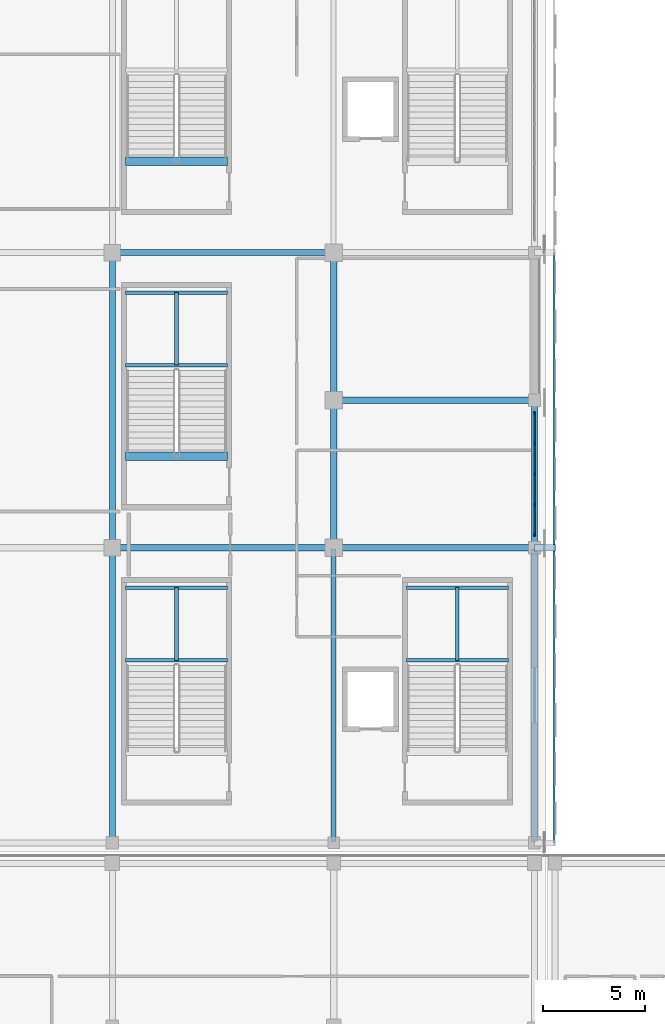
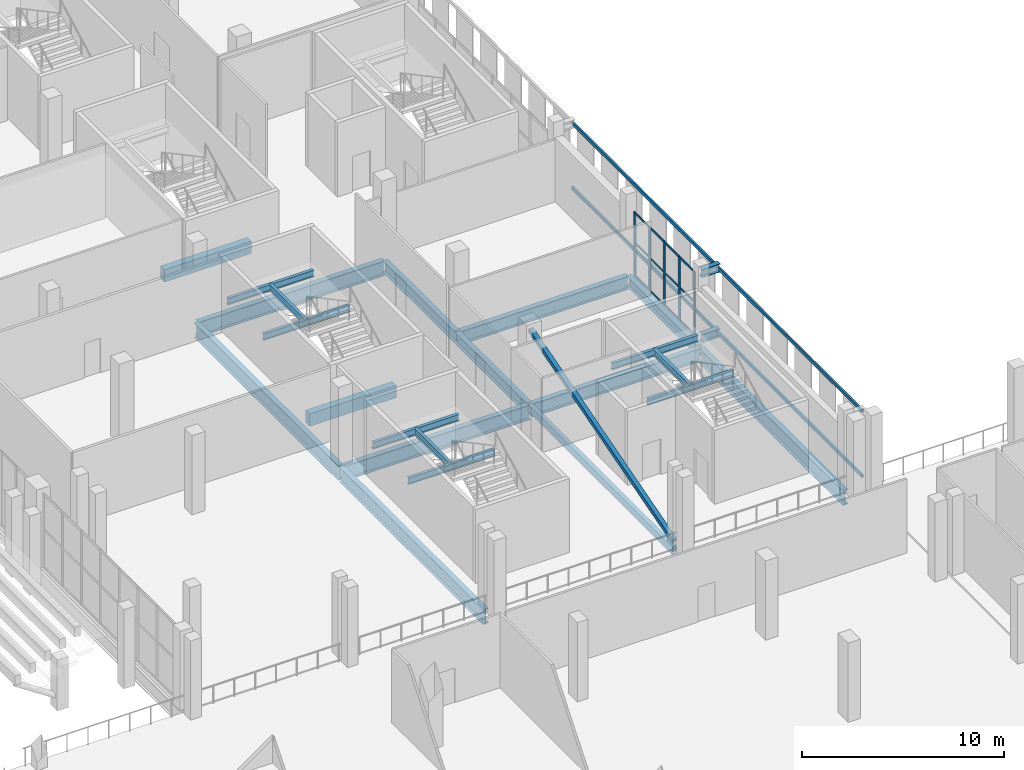
# One storey, part 50 of 142: 24 beams, 22 members, 1 element without a shape of its own.
"""IFC4 building model written with IfcOpenShell, lengths in metres."""

from ifc_helpers import new_model, si_unit, direction, frame, origin, origin_2d, place, context, subcontext, project, spatial, rectangle, hollow_rectangle, i_section, extrude, material, material_profile, profile_set, type_object, element, aggregate, save


model = new_model("IFC4")

# Units and contexts
model_context = context("Model", 3, precision=1e-05, world=origin(), true_north=direction((0.0, 1.0)))
body_context = subcontext(model_context, "Body", "Model", "MODEL_VIEW")
ifc_project = project(units=[si_unit("LENGTHUNIT", "METRE"), si_unit("AREAUNIT", "SQUARE_METRE"), si_unit("VOLUMEUNIT", "CUBIC_METRE"), si_unit("PLANEANGLEUNIT", "RADIAN"), si_unit("MASSUNIT", "GRAM", prefix="KILO")], contexts=[model_context])

# Site, building, storey
site_placement = place(None, origin())
site = spatial("IfcSite", under=ifc_project, at=site_placement, CompositionType="ELEMENT")
building_placement = place(site_placement, origin())
building = spatial("IfcBuilding", under=site, at=building_placement, Name="Koshinbarg Plaza Stadium", CompositionType="ELEMENT")
storey_placement = place(building_placement, frame((0.0, 0.0, 10.199951171875)))
storey = spatial("IfcBuildingStorey", under=building, at=storey_placement, Name="L02", CompositionType="ELEMENT", Elevation=10.199951171875)

# Beams
ifc_material_1 = material(Name="Steel S355", Category="steel")
ifc_material_profile_1 = material_profile(ifc_material_1, i_section(OverallWidth=0.300048828125, OverallDepth=0.5, WebThickness=0.014404296875, FlangeThickness=0.028076171875, at=origin_2d()), Name="HEB 500")
ifc_profile_set_1 = profile_set([ifc_material_profile_1], Name="Steel S355")
beam_type_1 = type_object("IfcBeamType", Name="BM-CANOPY-CANT", PredefinedType="BEAM", material=ifc_profile_set_1)
for number, where, z_axis, x_axis, name in (
    (1, (218.39990234375, 39.89990234375, 0.25), (1.0, 0.0, 0.0), (0.0, 1.0, 0.0), "Outer screen cantilever outrigger E-L02-Y02"),
    (2, (218.39990234375, 39.89990234375, 4.179931640625), (1.0, 0.0, 0.0), (0.0, 1.0, 0.0), "Outer screen cantilever outrigger E-L02-Y02"),
):
    element("IfcBeam", number, at=place(storey_placement, frame(where, z_axis=z_axis, x_axis=x_axis)), inside=storey, type_object=beam_type_1, Name=name, PredefinedType="BEAM", context=body_context, shape_type="SweptSolid", body=[
        extrude(i_section(OverallWidth=0.300048828125, OverallDepth=0.5, WebThickness=0.014404296875, FlangeThickness=0.028076171875, at=origin_2d()), origin(), (0.0, 0.0, 1.0), 1.030029296875),
    ])
ifc_material_2 = material(Name="Concrete C40/50", Category="concrete")
ifc_material_profile_2 = material_profile(ifc_material_2, rectangle(XDim=0.39990234375, YDim=0.75, at=origin_2d()), Name="RC 400x750")
ifc_profile_set_2 = profile_set([ifc_material_profile_2], Name="Concrete C40/50")
beam_type_2 = type_object("IfcBeamType", Name="BM-RCG-03", PredefinedType="USERDEFINED", material=ifc_profile_set_2)
for number, where, z_axis, x_axis, name in (
    (3, (198.449951171875, 44.360107421875, -0.375), (1.0, 0.0, 0.0), (0.0, 1.0, 0.0), "L02 stair landing header beam VX08"),
    (4, (198.449951171875, 58.760009765625, -0.375), (1.0, 0.0, 0.0), (0.0, 1.0, 0.0), "L02 stair landing header beam VX09"),
):
    element("IfcBeam", number, at=place(storey_placement, frame(where, z_axis=z_axis, x_axis=x_axis)), inside=storey, type_object=beam_type_2, Name=name, ObjectType="GIRDER", PredefinedType="USERDEFINED", context=body_context, shape_type="SweptSolid", body=[
        extrude(rectangle(XDim=0.39990234375, YDim=0.75, at=origin_2d()), origin(), (0.0, 0.0, 1.0), 4.969970703125),
    ])
ifc_material_profile_3 = material_profile(ifc_material_1, i_section(OverallWidth=0.179931640625, OverallDepth=0.39990234375, WebThickness=0.008544921875, FlangeThickness=0.013427734375, at=origin_2d()), Name="IPE 400")
ifc_profile_set_3 = profile_set([ifc_material_profile_3], Name="Steel S355")
beam_type_3 = type_object("IfcBeamType", Name="BM-SBM-01", PredefinedType="BEAM", material=ifc_profile_set_3)
for number, where, z_axis, x_axis, name in (
    (5, (212.14990234375, 34.409912109375, 1.880126953125), (1.0, 0.0, 0.0), (0.0, 1.0, 0.0), "L02 Protected Exit Stair C07 landing trimmer beam 1"),
    (6, (212.14990234375, 37.949951171875, 1.880126953125), (1.0, 0.0, 0.0), (0.0, 1.0, 0.0), "L02 Protected Exit Stair C07 landing trimmer beam 2"),
):
    element("IfcBeam", number, at=place(storey_placement, frame(where, z_axis=z_axis, x_axis=x_axis)), inside=storey, type_object=beam_type_3, Name=name, PredefinedType="BEAM", context=body_context, shape_type="SweptSolid", body=[
        extrude(i_section(OverallWidth=0.179931640625, OverallDepth=0.39990234375, WebThickness=0.008544921875, FlangeThickness=0.013427734375, at=origin_2d()), origin(), (0.0, 0.0, 1.0), 4.97021484375),
    ])
beam_1_placement = place(storey_placement, frame((214.635009765625, 34.409912109375, 1.880126953125), z_axis=(0.0, 1.0, 0.0), x_axis=(-1.0, 0.0, 0.0)))
element("IfcBeam", 7, at=beam_1_placement, inside=storey, type_object=beam_type_3, Name="L02 Protected Exit Stair C07 landing trimmer beam 3", PredefinedType="BEAM", context=body_context, shape_type="SweptSolid", body=[
    extrude(i_section(OverallWidth=0.179931640625, OverallDepth=0.39990234375, WebThickness=0.008544921875, FlangeThickness=0.013427734375, at=origin_2d()), origin(), (0.0, 0.0, 1.0), 3.5400390625),
])
for number, where, z_axis, x_axis, name in (
    (8, (198.449951171875, 34.409912109375, 1.880126953125), (1.0, 0.0, 0.0), (0.0, 1.0, 0.0), "L02 Upper Vomitory Stair VX07 landing trimmer beam 1"),
    (9, (198.449951171875, 37.949951171875, 1.880126953125), (1.0, 0.0, 0.0), (0.0, 1.0, 0.0), "L02 Upper Vomitory Stair VX07 landing trimmer beam 2"),
):
    element("IfcBeam", number, at=place(storey_placement, frame(where, z_axis=z_axis, x_axis=x_axis)), inside=storey, type_object=beam_type_3, Name=name, PredefinedType="BEAM", context=body_context, shape_type="SweptSolid", body=[
        extrude(i_section(OverallWidth=0.179931640625, OverallDepth=0.39990234375, WebThickness=0.008544921875, FlangeThickness=0.013427734375, at=origin_2d()), origin(), (0.0, 0.0, 1.0), 4.969970703125),
    ])
beam_2_placement = place(storey_placement, frame((200.93505859375, 34.409912109375, 1.880126953125), z_axis=(0.0, 1.0, 0.0), x_axis=(-1.0, 0.0, 0.0)))
element("IfcBeam", 10, at=beam_2_placement, inside=storey, type_object=beam_type_3, Name="L02 Upper Vomitory Stair VX07 landing trimmer beam 3", PredefinedType="BEAM", context=body_context, shape_type="SweptSolid", body=[
    extrude(i_section(OverallWidth=0.179931640625, OverallDepth=0.39990234375, WebThickness=0.008544921875, FlangeThickness=0.013427734375, at=origin_2d()), origin(), (0.0, 0.0, 1.0), 3.5400390625),
])
for number, where, z_axis, x_axis, name in (
    (11, (198.449951171875, 48.81005859375, 1.880126953125), (1.0, 0.0, 0.0), (0.0, 1.0, 0.0), "L02 Upper Vomitory Stair VX08 landing trimmer beam 1"),
    (12, (198.449951171875, 52.35009765625, 1.880126953125), (1.0, 0.0, 0.0), (0.0, 1.0, 0.0), "L02 Upper Vomitory Stair VX08 landing trimmer beam 2"),
):
    element("IfcBeam", number, at=place(storey_placement, frame(where, z_axis=z_axis, x_axis=x_axis)), inside=storey, type_object=beam_type_3, Name=name, PredefinedType="BEAM", context=body_context, shape_type="SweptSolid", body=[
        extrude(i_section(OverallWidth=0.179931640625, OverallDepth=0.39990234375, WebThickness=0.008544921875, FlangeThickness=0.013427734375, at=origin_2d()), origin(), (0.0, 0.0, 1.0), 4.969970703125),
    ])
beam_3_placement = place(storey_placement, frame((200.93505859375, 48.81005859375, 1.880126953125), z_axis=(0.0, 1.0, 0.0), x_axis=(-1.0, 0.0, 0.0)))
element("IfcBeam", 13, at=beam_3_placement, inside=storey, type_object=beam_type_3, Name="L02 Upper Vomitory Stair VX08 landing trimmer beam 3", PredefinedType="BEAM", context=body_context, shape_type="SweptSolid", body=[
    extrude(i_section(OverallWidth=0.179931640625, OverallDepth=0.39990234375, WebThickness=0.008544921875, FlangeThickness=0.013427734375, at=origin_2d()), origin(), (0.0, 0.0, 1.0), 3.5400390625),
])
ifc_material_profile_4 = material_profile(ifc_material_1, i_section(OverallWidth=0.300048828125, OverallDepth=0.60009765625, WebThickness=0.015380859375, FlangeThickness=0.030029296875, at=origin_2d()), Name="HEB 600")
ifc_profile_set_4 = profile_set([ifc_material_profile_4], Name="Steel S355")
beam_type_4 = type_object("IfcBeamType", Name="BM-SGIR-02", PredefinedType="USERDEFINED", material=ifc_profile_set_4)
beam_4_placement = place(storey_placement, frame((218.39990234375, 39.9599609375, -0.599853515625), z_axis=(0.0, 1.0, 0.0), x_axis=(-1.0, 0.0, 0.0)))
element("IfcBeam", 14, at=beam_4_placement, inside=storey, type_object=beam_type_4, Name="L02 Y girder 21/F-G", ObjectType="GIRDER", PredefinedType="USERDEFINED", context=body_context, shape_type="SweptSolid", body=[
    extrude(i_section(OverallWidth=0.300048828125, OverallDepth=0.60009765625, WebThickness=0.015380859375, FlangeThickness=0.030029296875, at=origin_2d()), origin(), (0.0, 0.0, 1.0), 7.080078125),
])
ifc_material_profile_5 = material_profile(ifc_material_1, i_section(OverallWidth=0.300048828125, OverallDepth=0.699951171875, WebThickness=0.01708984375, FlangeThickness=0.031982421875, at=origin_2d()), Name="HEB 700")
ifc_profile_set_5 = profile_set([ifc_material_profile_5], Name="Steel S355")
beam_type_5 = type_object("IfcBeamType", Name="BM-SGIR-03", PredefinedType="USERDEFINED", material=ifc_profile_set_5)
for number, where, z_axis, x_axis, name in (
    (15, (208.60009765625, 39.9599609375, -0.64990234375), (0.0, 1.0, 0.0), (-1.0, 0.0, 0.0), "L02 Y girder 20/F-G"),
    (16, (208.60009765625, 47.159912109375, -0.64990234375), (0.0, 1.0, 0.0), (-1.0, 0.0, 0.0), "L02 Y girder 20/G-H"),
):
    element("IfcBeam", number, at=place(storey_placement, frame(where, z_axis=z_axis, x_axis=x_axis)), inside=storey, type_object=beam_type_5, Name=name, ObjectType="GIRDER", PredefinedType="USERDEFINED", context=body_context, shape_type="SweptSolid", body=[
        extrude(i_section(OverallWidth=0.300048828125, OverallDepth=0.699951171875, WebThickness=0.01708984375, FlangeThickness=0.031982421875, at=origin_2d()), origin(), (0.0, 0.0, 1.0), 7.080078125),
    ])
ifc_material_profile_6 = material_profile(ifc_material_1, i_section(OverallWidth=0.300048828125, OverallDepth=0.800048828125, WebThickness=0.017578125, FlangeThickness=0.032958984375, at=origin_2d()), Name="HEB 800")
ifc_profile_set_6 = profile_set([ifc_material_profile_6], Name="Steel S355")
beam_type_6 = type_object("IfcBeamType", Name="BM-SGIR-04", PredefinedType="USERDEFINED", material=ifc_profile_set_6)
for number, where, z_axis, x_axis, name in (
    (17, (208.659912109375, 39.89990234375, -0.699951171875), (1.0, 0.0, 0.0), (0.0, 1.0, 0.0), "L02 X girder F/20-21"),
    (18, (208.659912109375, 47.10009765625, -0.699951171875), (1.0, 0.0, 0.0), (0.0, 1.0, 0.0), "L02 X girder G/20-21"),
):
    element("IfcBeam", number, at=place(storey_placement, frame(where, z_axis=z_axis, x_axis=x_axis)), inside=storey, type_object=beam_type_6, Name=name, ObjectType="GIRDER", PredefinedType="USERDEFINED", context=body_context, shape_type="SweptSolid", body=[
        extrude(i_section(OverallWidth=0.300048828125, OverallDepth=0.800048828125, WebThickness=0.017578125, FlangeThickness=0.032958984375, at=origin_2d()), origin(), (0.0, 0.0, 1.0), 9.68017578125),
    ])
ifc_material_profile_7 = material_profile(ifc_material_1, i_section(OverallWidth=0.300048828125, OverallDepth=0.89990234375, WebThickness=0.0185546875, FlangeThickness=0.034912109375, at=origin_2d()), Name="HEB 900")
ifc_profile_set_7 = profile_set([ifc_material_profile_7], Name="Steel S355")
beam_type_7 = type_object("IfcBeamType", Name="BM-SGIR-05", PredefinedType="USERDEFINED", material=ifc_profile_set_7)
for number, where, z_axis, x_axis, name in (
    (19, (197.860107421875, 39.89990234375, -0.75), (1.0, 0.0, 0.0), (0.0, 1.0, 0.0), "L02 X girder F/19-20"),
    (20, (197.860107421875, 54.300048828125, -0.75), (1.0, 0.0, 0.0), (0.0, 1.0, 0.0), "L02 X girder H/19-20"),
):
    element("IfcBeam", number, at=place(storey_placement, frame(where, z_axis=z_axis, x_axis=x_axis)), inside=storey, type_object=beam_type_7, Name=name, ObjectType="GIRDER", PredefinedType="USERDEFINED", context=body_context, shape_type="SweptSolid", body=[
        extrude(i_section(OverallWidth=0.300048828125, OverallDepth=0.89990234375, WebThickness=0.0185546875, FlangeThickness=0.034912109375, at=origin_2d()), origin(), (0.0, 0.0, 1.0), 10.679931640625),
    ])
for number, where, z_axis, x_axis, name in (
    (21, (197.800048828125, 25.56005859375, -0.75), (0.0, 1.0, 0.0), (-1.0, 0.0, 0.0), "L02 Y girder 19/E-F"),
    (22, (197.800048828125, 39.9599609375, -0.75), (0.0, 1.0, 0.0), (-1.0, 0.0, 0.0), "L02 Y girder 19/F-H"),
    (23, (218.39990234375, 25.56005859375, -0.75), (0.0, 1.0, 0.0), (-1.0, 0.0, 0.0), "L02 Y girder 21/E-F"),
):
    element("IfcBeam", number, at=place(storey_placement, frame(where, z_axis=z_axis, x_axis=x_axis)), inside=storey, type_object=beam_type_7, Name=name, ObjectType="GIRDER", PredefinedType="USERDEFINED", context=body_context, shape_type="SweptSolid", body=[
        extrude(i_section(OverallWidth=0.300048828125, OverallDepth=0.89990234375, WebThickness=0.0185546875, FlangeThickness=0.034912109375, at=origin_2d()), origin(), (0.0, 0.0, 1.0), 14.280029296875),
    ])
ifc_material_profile_8 = material_profile(ifc_material_1, hollow_rectangle(XDim=0.25, YDim=0.449951171875, WallThickness=0.01611328125, at=origin_2d()), Name="RHS 450x250x16")
ifc_profile_set_8 = profile_set([ifc_material_profile_8], Name="Steel S355")
beam_type_8 = type_object("IfcBeamType", Name="BM-SGIR-06", PredefinedType="USERDEFINED", material=ifc_profile_set_8)
beam_5_placement = place(storey_placement, frame((208.60009765625, 25.56005859375, -0.52490234375), z_axis=(0.0, 1.0, 0.0), x_axis=(-1.0, 0.0, 0.0)))
element("IfcBeam", 24, at=beam_5_placement, inside=storey, type_object=beam_type_8, Name="L02 Y girder 20/E-F", ObjectType="GIRDER", PredefinedType="USERDEFINED", context=body_context, shape_type="SweptSolid", body=[
    extrude(hollow_rectangle(XDim=0.25, YDim=0.449951171875, WallThickness=0.01611328125, at=origin_2d()), origin(), (0.0, 0.0, 1.0), 14.280029296875),
])

# Curtain wall, members
ifc_material_3 = material(Name="Thermally broken anodised aluminium and low-E double glazing", Category="aluminium")
curtain_wall_type = type_object("IfcCurtainWallType", Name="CW-SYS-11", PredefinedType="NOTDEFINED", material=ifc_material_3)
curtain_wall_placement = place(storey_placement, origin())
curtain_wall = element("IfcCurtainWall", 25, at=curtain_wall_placement, inside=storey, type_object=curtain_wall_type, Name="L02 unitised curtain wall CW-L02-058", PredefinedType="NOTDEFINED")
ifc_material_4 = material(Name="Anodised aluminium mullion", Category="aluminium")
ifc_material_profile_9 = material_profile(ifc_material_4, rectangle(XDim=0.070068359375, YDim=0.179931640625, at=origin_2d()), Name="ALU 70x180")
ifc_profile_set_9 = profile_set([ifc_material_profile_9], Name="Anodised aluminium mullion")
member_type_1 = type_object("IfcMemberType", Name="CW-MUL-03", PredefinedType="MULLION", material=ifc_profile_set_9)
member_1_placement = place(storey_placement, frame((218.39990234375, 46.449951171875, 0.0), z_axis=(0.0, 0.0, 1.0), x_axis=(1.0, 0.0, 0.0)))
member_1 = element("IfcMember", 26, at=member_1_placement, type_object=member_type_1, Name="CW11 mullion 1", PredefinedType="MULLION", context=body_context, shape_type="SweptSolid", body=[
    extrude(rectangle(XDim=0.070068359375, YDim=0.179931640625, at=origin_2d()), origin(), (0.0, 0.0, 1.0), 3.860107421875),
])
member_2_placement = place(storey_placement, frame((218.39990234375, 44.989990234375, 0.0), z_axis=(0.0, 0.0, 1.0), x_axis=(1.0, 0.0, 0.0)))
member_2 = element("IfcMember", 27, at=member_2_placement, type_object=member_type_1, Name="CW11 mullion 2", PredefinedType="MULLION", context=body_context, shape_type="SweptSolid", body=[
    extrude(rectangle(XDim=0.070068359375, YDim=0.179931640625, at=origin_2d()), origin(), (0.0, 0.0, 1.0), 3.860107421875),
])
member_3_placement = place(storey_placement, frame((218.39990234375, 43.5, 0.0), z_axis=(0.0, 0.0, 1.0), x_axis=(1.0, 0.0, 0.0)))
member_3 = element("IfcMember", 28, at=member_3_placement, type_object=member_type_1, Name="CW11 mullion 3", PredefinedType="MULLION", context=body_context, shape_type="SweptSolid", body=[
    extrude(rectangle(XDim=0.070068359375, YDim=0.179931640625, at=origin_2d()), origin(), (0.0, 0.0, 1.0), 3.860107421875),
])
member_4_placement = place(storey_placement, frame((218.39990234375, 42.010009765625, 0.0), z_axis=(0.0, 0.0, 1.0), x_axis=(1.0, 0.0, 0.0)))
member_4 = element("IfcMember", 29, at=member_4_placement, type_object=member_type_1, Name="CW11 mullion 4", PredefinedType="MULLION", context=body_context, shape_type="SweptSolid", body=[
    extrude(rectangle(XDim=0.070068359375, YDim=0.179931640625, at=origin_2d()), origin(), (0.0, 0.0, 1.0), 3.860107421875),
])
member_5_placement = place(storey_placement, frame((218.39990234375, 40.550048828125, 0.0), z_axis=(0.0, 0.0, 1.0), x_axis=(1.0, 0.0, 0.0)))
member_5 = element("IfcMember", 30, at=member_5_placement, type_object=member_type_1, Name="CW11 mullion 5", PredefinedType="MULLION", context=body_context, shape_type="SweptSolid", body=[
    extrude(rectangle(XDim=0.070068359375, YDim=0.179931640625, at=origin_2d()), origin(), (0.0, 0.0, 1.0), 3.860107421875),
])
ifc_material_5 = material(Name="Anodised aluminium transom", Category="aluminium")
ifc_material_profile_10 = material_profile(ifc_material_5, rectangle(XDim=0.06005859375, YDim=0.110107421875, at=origin_2d()), Name="ALU 60x110")
ifc_profile_set_10 = profile_set([ifc_material_profile_10], Name="Anodised aluminium transom")
member_type_2 = type_object("IfcMemberType", Name="CW-TRN-01", PredefinedType="USERDEFINED", material=ifc_profile_set_10)
member_6_placement = place(storey_placement, frame((218.39990234375, 46.419921875, 0.030029296875), z_axis=(0.0, -1.0, 0.0), x_axis=(1.0, 0.0, 0.0)))
member_6 = element("IfcMember", 31, at=member_6_placement, type_object=member_type_2, Name="CW11 transom 1.1", ObjectType="TRANSOM", PredefinedType="USERDEFINED", context=body_context, shape_type="SweptSolid", body=[
    extrude(rectangle(XDim=0.06005859375, YDim=0.110107421875, at=origin_2d()), origin(), (0.0, 0.0, 1.0), 1.39990234375),
])
member_7_placement = place(storey_placement, frame((218.39990234375, 46.419921875, 2.00732421875), z_axis=(0.0, -1.0, 0.0), x_axis=(1.0, 0.0, 0.0)))
member_7 = element("IfcMember", 32, at=member_7_placement, type_object=member_type_2, Name="CW11 transom 1.2", ObjectType="TRANSOM", PredefinedType="USERDEFINED", context=body_context, shape_type="SweptSolid", body=[
    extrude(rectangle(XDim=0.06005859375, YDim=0.110107421875, at=origin_2d()), origin(), (0.0, 0.0, 1.0), 1.39990234375),
])
member_8_placement = place(storey_placement, frame((218.39990234375, 46.419921875, 3.830078125), z_axis=(0.0, -1.0, 0.0), x_axis=(1.0, 0.0, 0.0)))
member_8 = element("IfcMember", 33, at=member_8_placement, type_object=member_type_2, Name="CW11 transom 1.3", ObjectType="TRANSOM", PredefinedType="USERDEFINED", context=body_context, shape_type="SweptSolid", body=[
    extrude(rectangle(XDim=0.06005859375, YDim=0.110107421875, at=origin_2d()), origin(), (0.0, 0.0, 1.0), 1.39990234375),
])
member_9_placement = place(storey_placement, frame((218.39990234375, 44.9599609375, 0.030029296875), z_axis=(0.0, -1.0, 0.0), x_axis=(1.0, 0.0, 0.0)))
member_9 = element("IfcMember", 34, at=member_9_placement, type_object=member_type_2, Name="CW11 transom 2.1", ObjectType="TRANSOM", PredefinedType="USERDEFINED", context=body_context, shape_type="SweptSolid", body=[
    extrude(rectangle(XDim=0.06005859375, YDim=0.110107421875, at=origin_2d()), origin(), (0.0, 0.0, 1.0), 1.429931640625),
])
member_10_placement = place(storey_placement, frame((218.39990234375, 44.9599609375, 2.00732421875), z_axis=(0.0, -1.0, 0.0), x_axis=(1.0, 0.0, 0.0)))
member_10 = element("IfcMember", 35, at=member_10_placement, type_object=member_type_2, Name="CW11 transom 2.2", ObjectType="TRANSOM", PredefinedType="USERDEFINED", context=body_context, shape_type="SweptSolid", body=[
    extrude(rectangle(XDim=0.06005859375, YDim=0.110107421875, at=origin_2d()), origin(), (0.0, 0.0, 1.0), 1.429931640625),
])
member_11_placement = place(storey_placement, frame((218.39990234375, 44.9599609375, 3.830078125), z_axis=(0.0, -1.0, 0.0), x_axis=(1.0, 0.0, 0.0)))
member_11 = element("IfcMember", 36, at=member_11_placement, type_object=member_type_2, Name="CW11 transom 2.3", ObjectType="TRANSOM", PredefinedType="USERDEFINED", context=body_context, shape_type="SweptSolid", body=[
    extrude(rectangle(XDim=0.06005859375, YDim=0.110107421875, at=origin_2d()), origin(), (0.0, 0.0, 1.0), 1.429931640625),
])
member_12_placement = place(storey_placement, frame((218.39990234375, 43.469970703125, 0.030029296875), z_axis=(0.0, -1.0, 0.0), x_axis=(1.0, 0.0, 0.0)))
member_12 = element("IfcMember", 37, at=member_12_placement, type_object=member_type_2, Name="CW11 transom 3.1", ObjectType="TRANSOM", PredefinedType="USERDEFINED", context=body_context, shape_type="SweptSolid", body=[
    extrude(rectangle(XDim=0.06005859375, YDim=0.110107421875, at=origin_2d()), origin(), (0.0, 0.0, 1.0), 1.429931640625),
])
member_13_placement = place(storey_placement, frame((218.39990234375, 43.469970703125, 2.00732421875), z_axis=(0.0, -1.0, 0.0), x_axis=(1.0, 0.0, 0.0)))
member_13 = element("IfcMember", 38, at=member_13_placement, type_object=member_type_2, Name="CW11 transom 3.2", ObjectType="TRANSOM", PredefinedType="USERDEFINED", context=body_context, shape_type="SweptSolid", body=[
    extrude(rectangle(XDim=0.06005859375, YDim=0.110107421875, at=origin_2d()), origin(), (0.0, 0.0, 1.0), 1.429931640625),
])
member_14_placement = place(storey_placement, frame((218.39990234375, 43.469970703125, 3.830078125), z_axis=(0.0, -1.0, 0.0), x_axis=(1.0, 0.0, 0.0)))
member_14 = element("IfcMember", 39, at=member_14_placement, type_object=member_type_2, Name="CW11 transom 3.3", ObjectType="TRANSOM", PredefinedType="USERDEFINED", context=body_context, shape_type="SweptSolid", body=[
    extrude(rectangle(XDim=0.06005859375, YDim=0.110107421875, at=origin_2d()), origin(), (0.0, 0.0, 1.0), 1.429931640625),
])
member_15_placement = place(storey_placement, frame((218.39990234375, 41.97998046875, 0.030029296875), z_axis=(0.0, -1.0, 0.0), x_axis=(1.0, 0.0, 0.0)))
member_15 = element("IfcMember", 40, at=member_15_placement, type_object=member_type_2, Name="CW11 transom 4.1", ObjectType="TRANSOM", PredefinedType="USERDEFINED", context=body_context, shape_type="SweptSolid", body=[
    extrude(rectangle(XDim=0.06005859375, YDim=0.110107421875, at=origin_2d()), origin(), (0.0, 0.0, 1.0), 1.39990234375),
])
member_16_placement = place(storey_placement, frame((218.39990234375, 41.97998046875, 2.00732421875), z_axis=(0.0, -1.0, 0.0), x_axis=(1.0, 0.0, 0.0)))
member_16 = element("IfcMember", 41, at=member_16_placement, type_object=member_type_2, Name="CW11 transom 4.2", ObjectType="TRANSOM", PredefinedType="USERDEFINED", context=body_context, shape_type="SweptSolid", body=[
    extrude(rectangle(XDim=0.06005859375, YDim=0.110107421875, at=origin_2d()), origin(), (0.0, 0.0, 1.0), 1.39990234375),
])
member_17_placement = place(storey_placement, frame((218.39990234375, 41.97998046875, 3.830078125), z_axis=(0.0, -1.0, 0.0), x_axis=(1.0, 0.0, 0.0)))
member_17 = element("IfcMember", 42, at=member_17_placement, type_object=member_type_2, Name="CW11 transom 4.3", ObjectType="TRANSOM", PredefinedType="USERDEFINED", context=body_context, shape_type="SweptSolid", body=[
    extrude(rectangle(XDim=0.06005859375, YDim=0.110107421875, at=origin_2d()), origin(), (0.0, 0.0, 1.0), 1.39990234375),
])
aggregate(curtain_wall, [member_1, member_2, member_3, member_4, member_5, member_6, member_7, member_8, member_9, member_10, member_11, member_12, member_13, member_14, member_15, member_16, member_17])

# Members
ifc_material_profile_11 = material_profile(ifc_material_1, hollow_rectangle(XDim=0.25, YDim=0.25, WallThickness=0.012451171875, at=origin_2d()), Name="SHS 250x250x12.5")
ifc_profile_set_11 = profile_set([ifc_material_profile_11], Name="Steel S355")
member_type_3 = type_object("IfcMemberType", Name="MB-BRACE-05", PredefinedType="BRACE", material=ifc_profile_set_11)
member_18_placement = place(storey_placement, frame((208.60009765625, 25.580078125, 0.050048828125), z_axis=(0.0, 0.960062102973, 0.27978698761), x_axis=(-1.0, 0.0, 0.0)))
element("IfcMember", 43, at=member_18_placement, inside=storey, type_object=member_type_3, Name="L02 lateral frame brace 11", PredefinedType="BRACE", context=body_context, shape_type="SweptSolid", body=[
    extrude(hollow_rectangle(XDim=0.25, YDim=0.25, WallThickness=0.012451171875, at=origin_2d()), origin(), (0.0, 0.0, 1.0), 14.832275390625),
])
ifc_material_profile_12 = material_profile(ifc_material_1, hollow_rectangle(XDim=0.10009765625, YDim=0.199951171875, WallThickness=0.008056640625, at=origin_2d()), Name="RHS 200x100x8")
ifc_profile_set_12 = profile_set([ifc_material_profile_12], Name="Steel S355")
member_type_4 = type_object("IfcMemberType", Name="MB-PURL-03", PredefinedType="PURLIN", material=ifc_profile_set_12)
for number, where, z_axis, x_axis, name in (
    (44, (219.35009765625, 25.5, 0.25), (0.0, 1.0, 0.0), (-1.0, 0.0, 0.0), "L02 outer screen subframe rail E-1-BOT"),
    (45, (219.35009765625, 25.5, 4.179931640625), (0.0, 1.0, 0.0), (-1.0, 0.0, 0.0), "L02 outer screen subframe rail E-1-TOP"),
):
    element("IfcMember", number, at=place(storey_placement, frame(where, z_axis=z_axis, x_axis=x_axis)), inside=storey, type_object=member_type_4, Name=name, PredefinedType="PURLIN", context=body_context, shape_type="SweptSolid", body=[
        extrude(hollow_rectangle(XDim=0.10009765625, YDim=0.199951171875, WallThickness=0.008056640625, at=origin_2d()), origin(), (0.0, 0.0, 1.0), 14.39990234375),
    ])
for number, where, z_axis, x_axis, name in (
    (46, (219.35009765625, 39.89990234375, 0.25), (0.0, 1.0, 0.0), (-1.0, 0.0, 0.0), "L02 outer screen subframe rail E-2-BOT"),
    (47, (219.35009765625, 39.89990234375, 4.179931640625), (0.0, 1.0, 0.0), (-1.0, 0.0, 0.0), "L02 outer screen subframe rail E-2-TOP"),
):
    element("IfcMember", number, at=place(storey_placement, frame(where, z_axis=z_axis, x_axis=x_axis)), inside=storey, type_object=member_type_4, Name=name, PredefinedType="PURLIN", context=body_context, shape_type="SweptSolid", body=[
        extrude(hollow_rectangle(XDim=0.10009765625, YDim=0.199951171875, WallThickness=0.008056640625, at=origin_2d()), origin(), (0.0, 0.0, 1.0), 14.400146484375),
    ])

save(model, "model.ifc")
